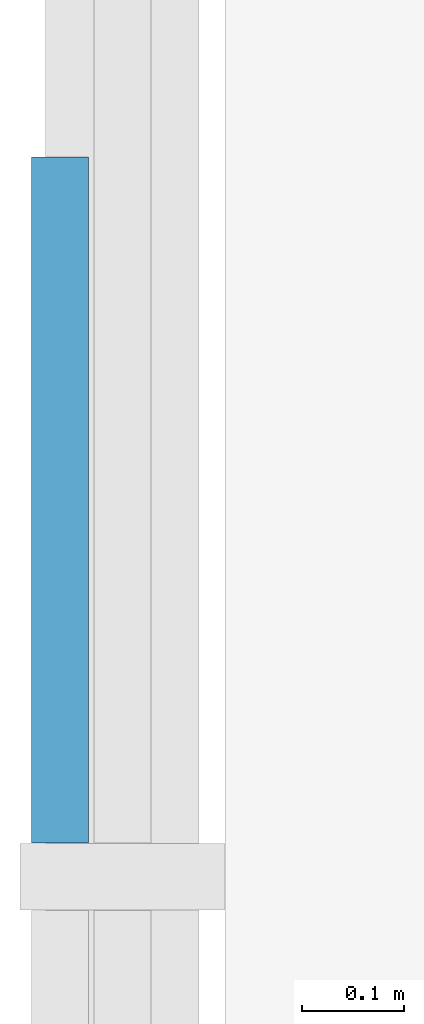
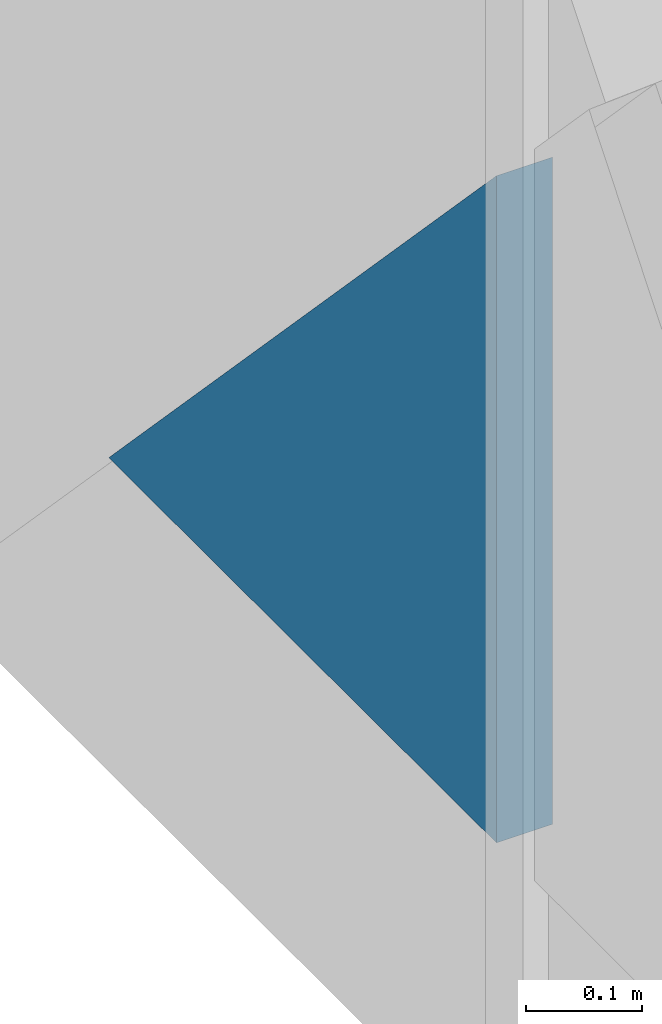
# One storey, part 11 of 17: 1 plate, 1 element without a shape of its own.
"""IFC4 building model written with IfcOpenShell, lengths in metres."""

from ifc_helpers import new_model, si_unit, direction, frame, origin, place, context, subcontext, project, spatial, polyline, outline, extrude, material, layer, layer_set, type_object, element, aggregate, save


model = new_model("IFC4")

# Units and contexts
model_context = context("Model", 3, precision=1e-05, world=origin(), true_north=direction((0.0, 1.0)))
body_context = subcontext(model_context, "Body", "Model", "MODEL_VIEW")
ifc_project = project(units=[si_unit("LENGTHUNIT", "METRE"), si_unit("AREAUNIT", "SQUARE_METRE"), si_unit("VOLUMEUNIT", "CUBIC_METRE"), si_unit("PLANEANGLEUNIT", "RADIAN"), si_unit("MASSUNIT", "GRAM", prefix="KILO")], contexts=[model_context])

# Site, building, storey
site_placement = place(None, origin())
site = spatial("IfcSite", under=ifc_project, at=site_placement, CompositionType="ELEMENT")
building_placement = place(site_placement, origin())
building = spatial("IfcBuilding", under=site, at=building_placement, Name="Rheinbord Bourse Tower", CompositionType="ELEMENT")
storey_placement = place(building_placement, frame((0.0, 0.0, 300.5)))
storey = spatial("IfcBuildingStorey", under=building, at=storey_placement, Name="L68", CompositionType="ELEMENT", Elevation=300.5)

# Curtain wall, plate
ifc_material_1 = material(Name="Dark glass and black aluminium", Category="aluminium")
curtain_wall_type = type_object("IfcCurtainWallType", Name="CW3 DARK GLASS CURTAIN WALL", PredefinedType="USERDEFINED", material=ifc_material_1)
curtain_wall_placement = place(storey_placement, origin())
curtain_wall = element("IfcCurtainWall", 1, at=curtain_wall_placement, inside=storey, type_object=curtain_wall_type, Name="Curtain wall CW3 W L68", ObjectType="UNITISED CURTAIN WALL", PredefinedType="USERDEFINED")
ifc_material_2 = material(Name="Dark tinted triple insulating glass", Category="glass")
ifc_layer = layer(ifc_material_2, 0.055908203125)
ifc_layer_set = layer_set([ifc_layer], Name="CW3 DARK GLASS PANEL")
plate_type = type_object("IfcPlateType", Name="CW3 DARK GLASS PANEL", PredefinedType="CURTAIN_PANEL", material=ifc_layer_set)
plate_placement = place(storey_placement, frame((-0.68896484375, 14.23291015625, 0.35009765625), z_axis=(1.0, 0.0, 0.0), x_axis=(0.0, 1.0, 0.0)))
plate = element("IfcPlate", 2, at=plate_placement, type_object=plate_type, Name="CW3 glass facet 2", PredefinedType="CURTAIN_PANEL", context=body_context, shape_type="SweptSolid", body=[
    extrude(outline(polyline([(0.0, 0.0), (0.669189453125, 0.0), (0.0, 0.702880859375), (0.0, 0.0)])), origin(), (0.0, 0.0, 1.0), 0.055908203125),
])
aggregate(curtain_wall, [plate])

save(model, "model.ifc")
